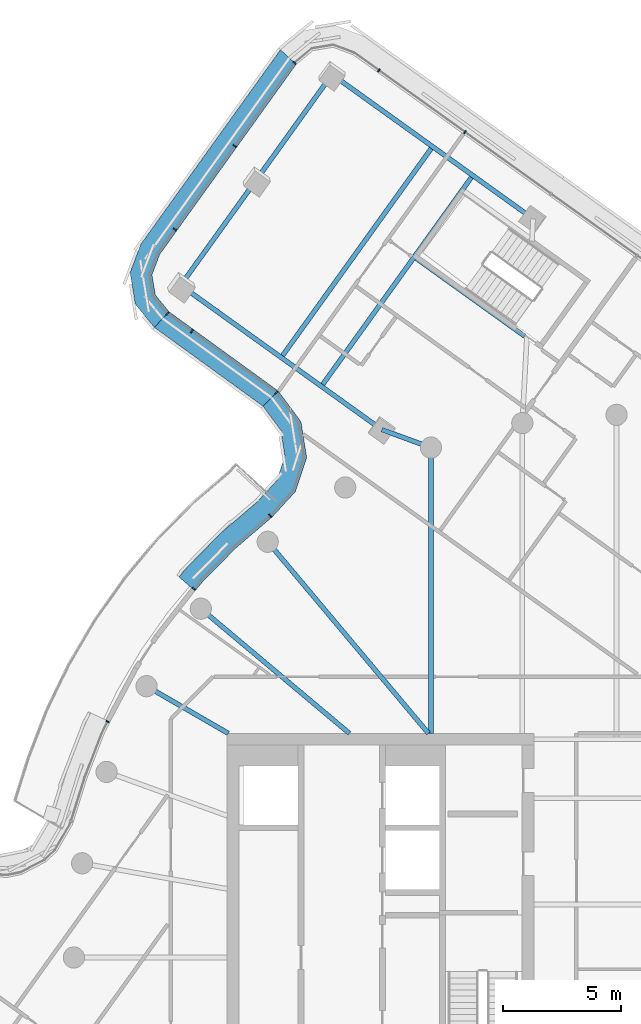
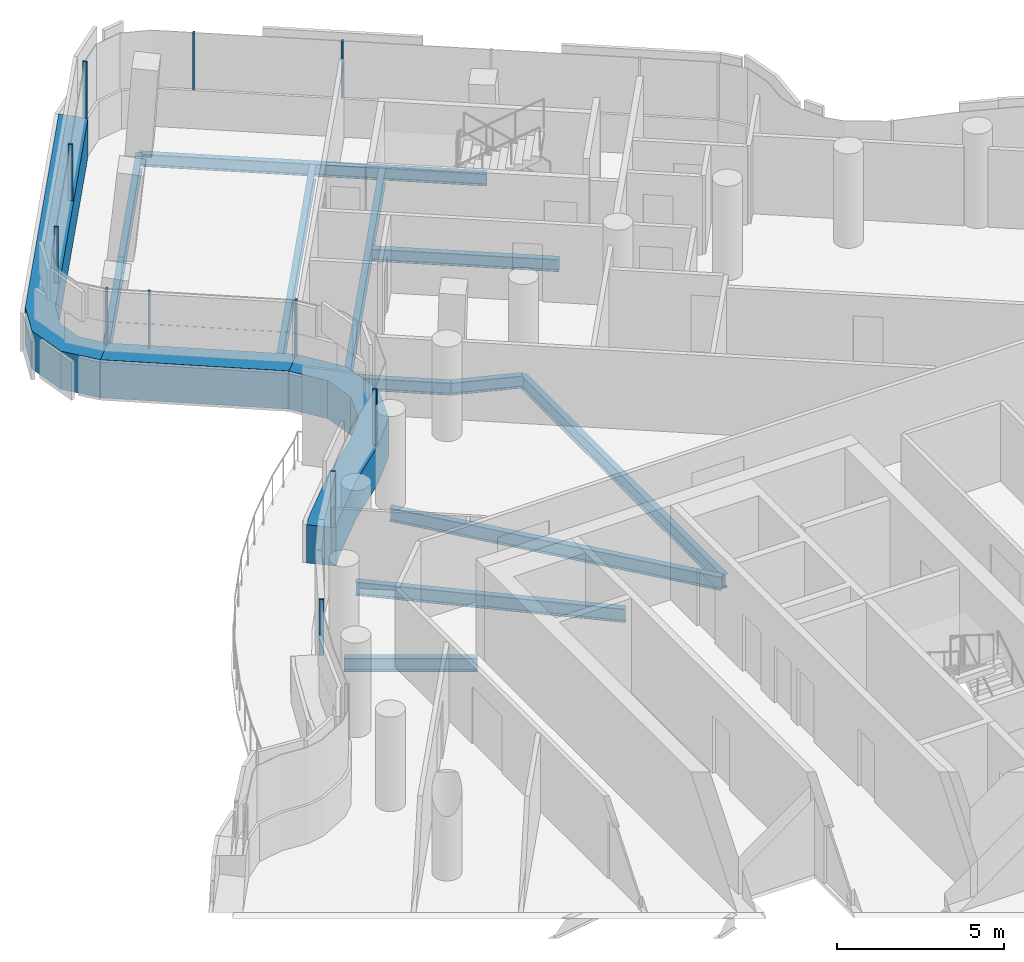
# One storey, part 10 of 27: 14 members, 12 beams, 4 elements without a shape of their own.
"""IFC4 building model written with IfcOpenShell, lengths in metres."""

from ifc_helpers import new_model, si_unit, direction, frame, origin, origin_2d, place, context, subcontext, project, spatial, polyline, rectangle, i_section, outline, extrude, material, layer, layer_set, material_profile, profile_set, type_object, element, aggregate, save


model = new_model("IFC4")

# Units and contexts
model_context = context("Model", 3, precision=1e-05, world=origin(), true_north=direction((0.0, 1.0)))
body_context = subcontext(model_context, "Body", "Model", "MODEL_VIEW")
ifc_project = project(units=[si_unit("LENGTHUNIT", "METRE"), si_unit("AREAUNIT", "SQUARE_METRE"), si_unit("VOLUMEUNIT", "CUBIC_METRE"), si_unit("PLANEANGLEUNIT", "RADIAN"), si_unit("MASSUNIT", "GRAM", prefix="KILO")], contexts=[model_context])

# Site, building, storey
site_placement = place(None, origin())
site = spatial("IfcSite", under=ifc_project, at=site_placement, CompositionType="ELEMENT")
building_placement = place(site_placement, origin())
building = spatial("IfcBuilding", under=site, at=building_placement, Name="Tamarind Cross Interchange Tower", CompositionType="ELEMENT")
storey_placement = place(building_placement, frame((0.0, 0.0, 230.699951171875)))
storey = spatial("IfcBuildingStorey", under=building, at=storey_placement, Name="L58", CompositionType="ELEMENT", Elevation=230.699951171875)

# Beams
ifc_material_1 = material(Name="Steel Q355B", Category="steel")
ifc_material_profile_1 = material_profile(ifc_material_1, i_section(OverallWidth=0.198974609375, OverallDepth=0.446044921875, WebThickness=0.008056640625, FlangeThickness=0.011962890625, FilletRadius=0.012939453125, at=origin_2d()), Name="HN 446x199x8x12")
ifc_profile_set_1 = profile_set([ifc_material_profile_1], Name="Steel Q355B")
beam_type_1 = type_object("IfcBeamType", Name="Composite beam HN 446x199x8x12 Q355B", PredefinedType="BEAM", material=ifc_profile_set_1)
for number, where, z_axis, x_axis, name in (
    (1, (-12.0595703125, 37.426513671875, -0.363037109375), (0.81238393369, -0.583122923819, 0.0), (0.583122923819, 0.81238393369, 0.0), "Beam N-edgeem4"),
    (2, (-18.473876953125, 28.490234375, -0.363037109375), (0.81238393369, -0.583122923819, 0.0), (0.583122923819, 0.81238393369, 0.0), "Beam N-edgeep2"),
):
    element("IfcBeam", number, at=place(storey_placement, frame(where, z_axis=z_axis, x_axis=x_axis)), inside=storey, type_object=beam_type_1, Name=name, PredefinedType="BEAM", context=body_context, shape_type="SweptSolid", body=[
        extrude(i_section(OverallWidth=0.198974609375, OverallDepth=0.446044921875, WebThickness=0.008056640625, FlangeThickness=0.011962890625, FilletRadius=0.012939453125, at=origin_2d()), origin(), (0.0, 0.0, 1.0), 10.492431640625),
    ])
beam_1_placement = place(storey_placement, frame((-9.949951171875, 22.371826171875, -0.363037109375), z_axis=(0.939626146106, -0.342202725814, 0.0), x_axis=(0.342202725814, 0.939626146106, 0.0)))
element("IfcBeam", 3, at=beam_1_placement, inside=storey, type_object=beam_type_1, Name="Beam N-linkep", PredefinedType="BEAM", context=body_context, shape_type="SweptSolid", body=[
    extrude(i_section(OverallWidth=0.198974609375, OverallDepth=0.446044921875, WebThickness=0.008056640625, FlangeThickness=0.011962890625, FilletRadius=0.012939453125, at=origin_2d()), origin(), (0.0, 0.0, 1.0), 2.21728515625),
])
beam_2_placement = place(storey_placement, frame((-3.8984375, 26.3369140625, -0.363037109375), z_axis=(-0.812383518937, 0.583123501635, 0.0), x_axis=(-0.583123501635, -0.812383518937, 0.0)))
element("IfcBeam", 4, at=beam_2_placement, inside=storey, type_object=beam_type_1, Name="Beam N-tr1s1", PredefinedType="BEAM", context=body_context, shape_type="SweptSolid", body=[
    extrude(i_section(OverallWidth=0.198974609375, OverallDepth=0.446044921875, WebThickness=0.008056640625, FlangeThickness=0.011962890625, FilletRadius=0.012939453125, at=origin_2d()), origin(), (0.0, 0.0, 1.0), 5.654541015625),
])
ifc_material_profile_2 = material_profile(ifc_material_1, i_section(OverallWidth=0.198974609375, OverallDepth=0.49609375, WebThickness=0.009033203125, FlangeThickness=0.013916015625, FilletRadius=0.012939453125, at=origin_2d()), Name="HN 496x199x9x14")
ifc_profile_set_2 = profile_set([ifc_material_profile_2], Name="Steel Q355B")
beam_type_2 = type_object("IfcBeamType", Name="Composite beam HN 496x199x9x14 Q355B", PredefinedType="BEAM", material=ifc_profile_set_2)
beam_3_placement = place(storey_placement, frame((-7.866455078125, 21.613037109375, -0.387939453125), z_axis=(0.0, -1.0, 0.0), x_axis=(1.0, 0.0, 0.0)))
element("IfcBeam", 5, at=beam_3_placement, inside=storey, type_object=beam_type_2, Name="Beam HH11", PredefinedType="BEAM", context=body_context, shape_type="SweptSolid", body=[
    extrude(i_section(OverallWidth=0.198974609375, OverallDepth=0.49609375, WebThickness=0.009033203125, FlangeThickness=0.013916015625, FilletRadius=0.012939453125, at=origin_2d()), origin(), (0.0, 0.0, 1.0), 12.113037109375),
])
beam_4_placement = place(storey_placement, frame((-14.7841796875, 17.619140625, -0.387939453125), z_axis=(0.642786293979, -0.766045547127, 0.0), x_axis=(0.766045547127, 0.642786293979, 0.0)))
element("IfcBeam", 6, at=beam_4_placement, inside=storey, type_object=beam_type_2, Name="Beam HH13", PredefinedType="BEAM", context=body_context, shape_type="SweptSolid", body=[
    extrude(i_section(OverallWidth=0.198974609375, OverallDepth=0.49609375, WebThickness=0.009033203125, FlangeThickness=0.013916015625, FilletRadius=0.012939453125, at=origin_2d()), origin(), (0.0, 0.0, 1.0), 10.598876953125),
])
beam_5_placement = place(storey_placement, frame((-17.619140625, 14.7841796875, -0.387939453125), z_axis=(0.766040580814, -0.642792212574, 0.0), x_axis=(0.642792212574, 0.766040580814, 0.0)))
element("IfcBeam", 7, at=beam_5_placement, inside=storey, type_object=beam_type_2, Name="Beam HH14", PredefinedType="BEAM", context=body_context, shape_type="SweptSolid", body=[
    extrude(i_section(OverallWidth=0.198974609375, OverallDepth=0.49609375, WebThickness=0.009033203125, FlangeThickness=0.013916015625, FilletRadius=0.012939453125, at=origin_2d()), origin(), (0.0, 0.0, 1.0), 8.220703125),
])
beam_6_placement = place(storey_placement, frame((-19.918701171875, 11.5, -0.387939453125), z_axis=(0.866026010844, -0.49999894854, 0.0), x_axis=(0.49999894854, 0.866026010844, 0.0)))
element("IfcBeam", 8, at=beam_6_placement, inside=storey, type_object=beam_type_2, Name="Beam HH15", PredefinedType="BEAM", context=body_context, shape_type="SweptSolid", body=[
    extrude(i_section(OverallWidth=0.198974609375, OverallDepth=0.49609375, WebThickness=0.009033203125, FlangeThickness=0.013916015625, FilletRadius=0.012939453125, at=origin_2d()), origin(), (0.0, 0.0, 1.0), 4.0),
])
ifc_material_profile_3 = material_profile(ifc_material_1, i_section(OverallWidth=0.198974609375, OverallDepth=0.595947265625, WebThickness=0.010009765625, FlangeThickness=0.014892578125, FilletRadius=0.012939453125, at=origin_2d()), Name="HN 596x199x10x15")
ifc_profile_set_3 = profile_set([ifc_material_profile_3], Name="Steel Q355B")
beam_type_3 = type_object("IfcBeamType", Name="Composite beam HN 596x199x10x15 Q355B", PredefinedType="BEAM", material=ifc_profile_set_3)
for number, where, z_axis, x_axis, name in (
    (9, (-12.0595703125, 37.426513671875, -0.43798828125), (-0.583092617935, -0.812405686163, 0.0), (0.812405686163, -0.583092617935, 0.0), "Beam N-tip0"),
    (10, (-15.2666015625, 32.958251953125, -0.43798828125), (-0.583142941504, -0.812369564776, 0.0), (0.812369564776, -0.583142941504, 0.0), "Beam N-tip1"),
):
    element("IfcBeam", number, at=place(storey_placement, frame(where, z_axis=z_axis, x_axis=x_axis)), inside=storey, type_object=beam_type_3, Name=name, PredefinedType="BEAM", context=body_context, shape_type="SweptSolid", body=[
        extrude(i_section(OverallWidth=0.198974609375, OverallDepth=0.595947265625, WebThickness=0.010009765625, FlangeThickness=0.014892578125, FilletRadius=0.012939453125, at=origin_2d()), origin(), (0.0, 0.0, 1.0), 5.5),
    ])
beam_7_placement = place(storey_placement, frame((-6.0947265625, 33.144775390625, -0.43798828125), z_axis=(-0.583128293969, -0.812380079011, 0.0), x_axis=(0.812380079011, -0.583128293969, 0.0)))
element("IfcBeam", 11, at=beam_7_placement, inside=storey, type_object=beam_type_3, Name="Beam N-x334", PredefinedType="BEAM", context=body_context, shape_type="SweptSolid", body=[
    extrude(i_section(OverallWidth=0.198974609375, OverallDepth=0.595947265625, WebThickness=0.010009765625, FlangeThickness=0.014892578125, FilletRadius=0.012939453125, at=origin_2d()), origin(), (0.0, 0.0, 1.0), 10.999755859375),
])
beam_8_placement = place(storey_placement, frame((-7.797607421875, 34.3671875, -0.43798828125), z_axis=(-0.583117779871, -0.812387625951, 0.0), x_axis=(0.812387625951, -0.583117779871, 0.0)))
element("IfcBeam", 12, at=beam_8_placement, inside=storey, type_object=beam_type_3, Name="Beam N-x355", PredefinedType="BEAM", context=body_context, shape_type="SweptSolid", body=[
    extrude(i_section(OverallWidth=0.198974609375, OverallDepth=0.595947265625, WebThickness=0.010009765625, FlangeThickness=0.014892578125, FilletRadius=0.012939453125, at=origin_2d()), origin(), (0.0, 0.0, 1.0), 11.0),
])

# Curtain wall, member
ifc_material_2 = material(Name="Aluminium 6063-T6", Category="aluminium")
ifc_layer = layer(ifc_material_2, 0.139892578125)
ifc_layer_set = layer_set([ifc_layer], Name="Aluminium 6063-T6")
curtain_wall_type = type_object("IfcCurtainWallType", Name="Hotel curtain wall, 4.5 m bays", PredefinedType="NOTDEFINED", material=ifc_layer_set)
curtain_wall_1_placement = place(storey_placement, origin())
curtain_wall_1 = element("IfcCurtainWall", 13, at=curtain_wall_1_placement, inside=storey, type_object=curtain_wall_type, Name="CWS-L58-04", PredefinedType="NOTDEFINED")
ifc_material_3 = material(Name="Aluminium and insulated spandrel panel", Category="aluminium")
member_type_1 = type_object("IfcMemberType", Name="Floor-edge blade transom", PredefinedType="USERDEFINED", material=ifc_material_3)
member_1_placement = place(storey_placement, origin())
member_1 = element("IfcMember", 14, at=member_1_placement, type_object=member_type_1, Name="CWT-L58-04", ObjectType="TRANSOM", PredefinedType="USERDEFINED", context=body_context, shape_type="SweptSolid", body=[
    extrude(outline(polyline([(-13.58056640625, 37.85400390625), (-19.36572265625, 29.79443359375), (-19.688720703125, 28.93798828125), (-19.547119140625, 28.074951171875), (-18.96630859375, 27.3662109375), (-19.5888671875, 26.7060546875), (-20.39599609375, 27.691162109375), (-20.615966796875, 29.030029296875), (-20.166015625, 30.222900390625), (-14.24267578125, 38.47509765625), (-13.58056640625, 37.85400390625)])), origin(), (0.0, 0.0, 1.0), 1.400146484375),
])

curtain_wall_2_placement = place(storey_placement, origin())
curtain_wall_2 = element("IfcCurtainWall", 15, at=curtain_wall_2_placement, inside=storey, type_object=curtain_wall_type, Name="CWS-L58-05", PredefinedType="NOTDEFINED")
member_2_placement = place(storey_placement, origin())
member_2 = element("IfcMember", 16, at=member_2_placement, type_object=member_type_1, Name="CWT-L58-05", ObjectType="TRANSOM", PredefinedType="USERDEFINED", context=body_context, shape_type="SweptSolid", body=[
    extrude(outline(polyline([(-18.96630859375, 27.3662109375), (-14.344970703125, 24.0146484375), (-14.985107421875, 23.3671875), (-19.5888671875, 26.7060546875), (-18.96630859375, 27.3662109375)])), origin(), (0.0, 0.0, 1.0), 1.400146484375),
])

curtain_wall_3_placement = place(storey_placement, origin())
curtain_wall_3 = element("IfcCurtainWall", 17, at=curtain_wall_3_placement, inside=storey, type_object=curtain_wall_type, Name="CWS-L58-06", PredefinedType="NOTDEFINED")
member_3_placement = place(storey_placement, origin())
member_3 = element("IfcMember", 18, at=member_3_placement, type_object=member_type_1, Name="CWT-L58-06-0", ObjectType="TRANSOM", PredefinedType="USERDEFINED", context=body_context, shape_type="SweptSolid", body=[
    extrude(outline(polyline([(-14.344970703125, 24.0146484375), (-13.374755859375, 22.70751953125), (-13.1337890625, 21.191650390625), (-13.610107421875, 19.7412109375), (-14.611572265625, 18.656005859375), (-16.12353515625, 17.3642578125), (-17.50244140625, 15.973388671875), (-17.865478515625, 15.541015625), (-18.544677734375, 16.1318359375), (-18.167724609375, 16.580810546875), (-16.736572265625, 18.0244140625), (-15.23681640625, 19.3056640625), (-14.404052734375, 20.207763671875), (-14.056884765625, 21.265380859375), (-14.22900390625, 22.348388671875), (-14.985107421875, 23.3671875), (-14.344970703125, 24.0146484375)])), origin(), (0.0, 0.0, 1.0), 1.400146484375),
])

# Curtain wall, members
curtain_wall_4_placement = place(storey_placement, origin())
curtain_wall_4 = element("IfcCurtainWall", 19, at=curtain_wall_4_placement, inside=storey, type_object=curtain_wall_type, Name="CWS-L58-03", PredefinedType="NOTDEFINED")
ifc_material_profile_4 = material_profile(ifc_material_2, rectangle(XDim=0.06005859375, YDim=0.139892578125, at=origin_2d()), Name="Mullion CW2")
ifc_profile_set_4 = profile_set([ifc_material_profile_4], Name="Aluminium 6063-T6")
member_type_2 = type_object("IfcMemberType", Name="Mullion CW2", PredefinedType="MULLION", material=ifc_profile_set_4)
member_4_placement = place(storey_placement, frame((-6.42626953125, 34.983154296875, 1.400146484375), z_axis=(0.0, 0.0, 1.0), x_axis=(-0.812384886086, 0.583121596975, 0.0)))
member_4 = element("IfcMember", 20, at=member_4_placement, type_object=member_type_2, Name="CWM-L58-03-03", PredefinedType="MULLION", context=body_context, shape_type="SweptSolid", body=[
    extrude(rectangle(XDim=0.06005859375, YDim=0.139892578125, at=origin_2d()), origin(), (0.0, 0.0, 1.0), 2.059814453125),
])
member_5_placement = place(storey_placement, frame((-10.07080078125, 37.59912109375, 1.400146484375), z_axis=(0.0, 0.0, 1.0), x_axis=(-0.812384886086, 0.583121596975, 0.0)))
member_5 = element("IfcMember", 21, at=member_5_placement, type_object=member_type_2, Name="CWM-L58-03-04", PredefinedType="MULLION", context=body_context, shape_type="SweptSolid", body=[
    extrude(rectangle(XDim=0.06005859375, YDim=0.139892578125, at=origin_2d()), origin(), (0.0, 0.0, 1.0), 2.059814453125),
])
aggregate(curtain_wall_4, [member_4, member_5])

# Member
member_6_placement = place(storey_placement, frame((-13.654052734375, 37.923095703125, 1.400146484375), z_axis=(0.0, 0.0, 1.0), x_axis=(-0.684170416675, -0.729322179113, 0.0)))
member_6 = element("IfcMember", 22, at=member_6_placement, type_object=member_type_2, Name="CWM-L58-04-00", PredefinedType="MULLION", context=body_context, shape_type="SweptSolid", body=[
    extrude(rectangle(XDim=0.06005859375, YDim=0.139892578125, at=origin_2d()), origin(), (0.0, 0.0, 1.0), 2.059814453125),
])

member_7_placement = place(storey_placement, frame((-16.18798828125, 34.392822265625, 1.400146484375), z_axis=(0.0, 0.0, 1.0), x_axis=(-0.583121596975, -0.812384886086, 0.0)))
member_7 = element("IfcMember", 23, at=member_7_placement, type_object=member_type_2, Name="CWM-L58-04-01", PredefinedType="MULLION", context=body_context, shape_type="SweptSolid", body=[
    extrude(rectangle(XDim=0.06005859375, YDim=0.139892578125, at=origin_2d()), origin(), (0.0, 0.0, 1.0), 2.059814453125),
])

member_8_placement = place(storey_placement, frame((-18.72216796875, 30.862548828125, 1.400146484375), z_axis=(0.0, 0.0, 1.0), x_axis=(-0.583121596975, -0.812384886086, 0.0)))
member_8 = element("IfcMember", 24, at=member_8_placement, type_object=member_type_2, Name="CWM-L58-04-02", PredefinedType="MULLION", context=body_context, shape_type="SweptSolid", body=[
    extrude(rectangle(XDim=0.06005859375, YDim=0.139892578125, at=origin_2d()), origin(), (0.0, 0.0, 1.0), 2.059814453125),
])

aggregate(curtain_wall_1, [member_6, member_7, member_8, member_1])

member_9_placement = place(storey_placement, frame((-19.03564453125, 27.29296875, 1.400146484375), z_axis=(0.0, 0.0, 1.0), x_axis=(0.727643547314, -0.68595544174, 0.0)))
member_9 = element("IfcMember", 25, at=member_9_placement, type_object=member_type_2, Name="CWM-L58-05-00", PredefinedType="MULLION", context=body_context, shape_type="SweptSolid", body=[
    extrude(rectangle(XDim=0.06005859375, YDim=0.139892578125, at=origin_2d()), origin(), (0.0, 0.0, 1.0), 2.059814453125),
])

member_10_placement = place(storey_placement, frame((-18.00048828125, 26.542236328125, 1.400146484375), z_axis=(0.0, 0.0, 1.0), x_axis=(0.809517460319, -0.587095802606, 0.0)))
member_10 = element("IfcMember", 26, at=member_10_placement, type_object=member_type_2, Name="CWM-L58-05-01", PredefinedType="MULLION", context=body_context, shape_type="SweptSolid", body=[
    extrude(rectangle(XDim=0.06005859375, YDim=0.139892578125, at=origin_2d()), origin(), (0.0, 0.0, 1.0), 2.059814453125),
])

aggregate(curtain_wall_2, [member_9, member_10, member_2])

member_11_placement = place(storey_placement, frame((-14.416015625, 23.942626953125, 1.400146484375), z_axis=(0.0, 0.0, 1.0), x_axis=(0.711000011903, -0.703191995883, 0.0)))
member_11 = element("IfcMember", 27, at=member_11_placement, type_object=member_type_2, Name="CWM-L58-06-00", PredefinedType="MULLION", context=body_context, shape_type="SweptSolid", body=[
    extrude(rectangle(XDim=0.06005859375, YDim=0.139892578125, at=origin_2d()), origin(), (0.0, 0.0, 1.0), 2.059814453125),
])

member_12_placement = place(storey_placement, frame((-14.68408203125, 18.725830078125, 1.400146484375), z_axis=(0.0, 0.0, 1.0), x_axis=(-0.760295606781, -0.64957723968, 0.0)))
member_12 = element("IfcMember", 28, at=member_12_placement, type_object=member_type_2, Name="CWM-L58-06-01", PredefinedType="MULLION", context=body_context, shape_type="SweptSolid", body=[
    extrude(rectangle(XDim=0.06005859375, YDim=0.139892578125, at=origin_2d()), origin(), (0.0, 0.0, 1.0), 2.059814453125),
])

member_13_placement = place(storey_placement, frame((-17.921875, 15.62939453125, 1.400146484375), z_axis=(0.0, 0.0, 1.0), x_axis=(-0.643009266048, -0.765858396687, 0.0)))
member_13 = element("IfcMember", 29, at=member_13_placement, type_object=member_type_2, Name="CWM-L58-06-02", PredefinedType="MULLION", context=body_context, shape_type="SweptSolid", body=[
    extrude(rectangle(XDim=0.06005859375, YDim=0.139892578125, at=origin_2d()), origin(), (0.0, 0.0, 1.0), 2.059814453125),
])

member_14_placement = place(storey_placement, frame((-21.572509765625, 10.002197265625, 1.400146484375), z_axis=(0.0, 0.0, 1.0), x_axis=(-0.435326231914, -0.900272776334, 0.0)))
member_14 = element("IfcMember", 30, at=member_14_placement, type_object=member_type_2, Name="CWM-L58-06-03", PredefinedType="MULLION", context=body_context, shape_type="SweptSolid", body=[
    extrude(rectangle(XDim=0.06005859375, YDim=0.139892578125, at=origin_2d()), origin(), (0.0, 0.0, 1.0), 2.059814453125),
])

aggregate(curtain_wall_3, [member_11, member_12, member_13, member_14, member_3])

save(model, "model.ifc")
